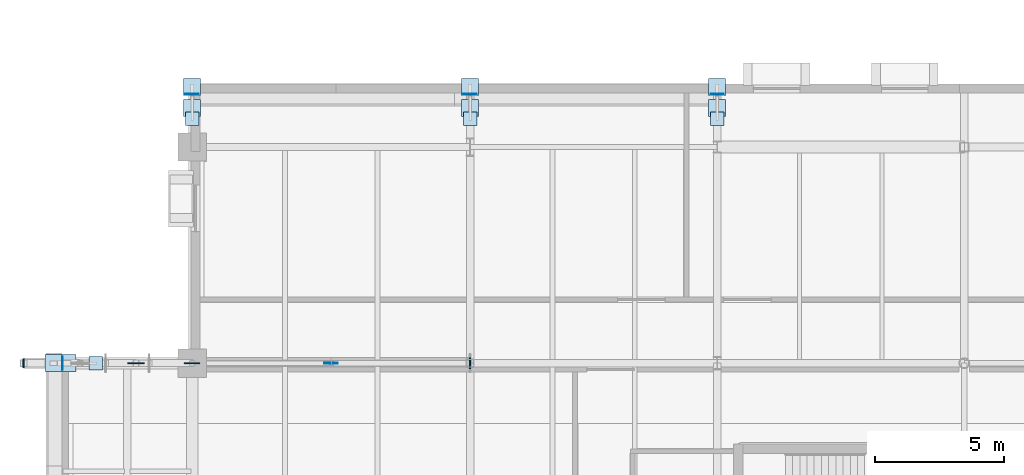
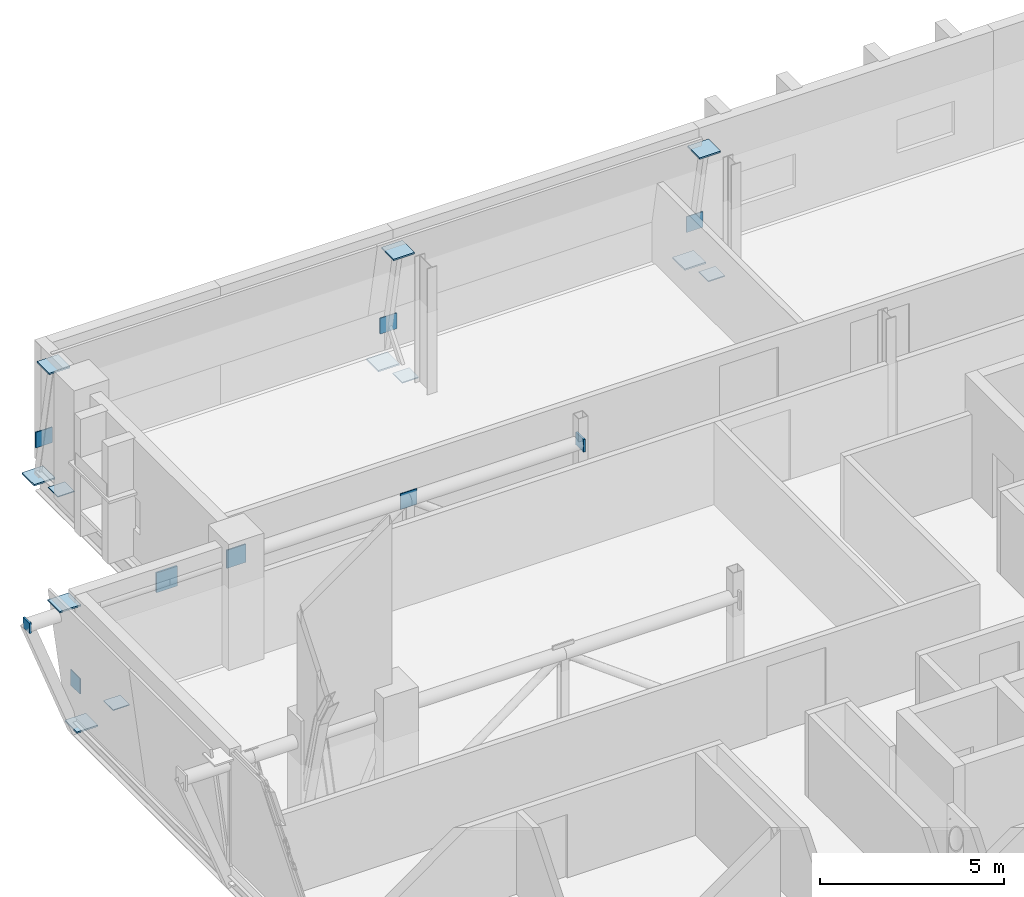
# One storey, part 47 of 90: 21 plates.
"""IFC4 building model written with IfcOpenShell, lengths in metres."""

import ifcopenshell
import ifcopenshell.guid

model = None  # the IFC model being written
_history = None  # IfcOwnerHistory: only IFC2X3 demands one
_inside = {}  # id of a spatial element -> (the spatial element, [elements in it])
_under = {}  # id of a project, library or spatial element -> (it, [spatial elements below it])
_declared = {}  # id of a project -> (the project, [libraries it declares])
_typed = {}  # id of a type object -> (the type object, [elements of that type])
_made_of = {}  # id of a material, layer set ... -> (it, [elements and type objects made of it])


def new_model(schema):
    """Start an empty IFC model of exactly this schema.

    Asked for "IFC4X3", IfcOpenShell would pick the latest addendum, in which some entities
    have other attributes; the version numbers below select the first issue.
    IFC2X3 requires an IfcOwnerHistory on every rooted entity: one is made here for all.
    """
    global model, _history
    if schema == "IFC4X3":
        model = ifcopenshell.file(schema_version=(4, 3, 0, 0))
    else:
        model = ifcopenshell.file(schema=schema)
    _inside.clear()
    _under.clear()
    _declared.clear()
    _typed.clear()
    _made_of.clear()
    _history = None
    if model.schema == "IFC2X3":
        org = make("IfcOrganization", Name="unknown")
        user = make(
            "IfcPersonAndOrganization",
            ThePerson=make("IfcPerson", FamilyName="unknown"),
            TheOrganization=org,
        )
        app = make(
            "IfcApplication",
            ApplicationDeveloper=org,
            Version="unknown",
            ApplicationFullName="unknown",
            ApplicationIdentifier="unknown",
        )
        _history = make(
            "IfcOwnerHistory",
            OwningUser=user,
            OwningApplication=app,
            ChangeAction="ADDED",
            CreationDate=0,
        )
    return model


def make(cls, **values):
    """One entity of the class cls with the attributes given. An attribute that is None is left unset."""
    return model.create_entity(
        cls, **{name: value for name, value in values.items() if value is not None}
    )


def rooted(cls, **values):
    """An entity with a GlobalId (a new one), such as an element, a storey or a relation."""
    return make(cls, GlobalId=ifcopenshell.guid.new(), OwnerHistory=_history, **values)


def si_unit(unit_type, name, prefix=None):
    """IfcSIUnit, for example si_unit("LENGTHUNIT", "METRE", prefix="MILLI")."""
    return make("IfcSIUnit", UnitType=unit_type, Prefix=prefix, Name=name)


def assignment(units):
    """IfcUnitAssignment: the units of a project."""
    return None if units is None else make("IfcUnitAssignment", Units=units)


def point(xyz):
    """IfcCartesianPoint."""
    return None if xyz is None else make("IfcCartesianPoint", Coordinates=xyz)


def direction(xyz):
    """IfcDirection."""
    return None if xyz is None else make("IfcDirection", DirectionRatios=xyz)


def frame(location, z_axis=None, x_axis=None):
    """IfcAxis2Placement3D, a coordinate frame: its origin and axes. An axis left out is left unset."""
    return make(
        "IfcAxis2Placement3D",
        Location=point(location),
        Axis=direction(z_axis),
        RefDirection=direction(x_axis),
    )


def frame_2d(location, x_axis=None):
    """IfcAxis2Placement2D, a coordinate frame in the plane: its origin and x axis."""
    return make(
        "IfcAxis2Placement2D", Location=point(location), RefDirection=direction(x_axis)
    )


def origin():
    """The frame at (0, 0, 0) with its axes left unset."""
    return frame((0.0, 0.0, 0.0))


def origin_2d():
    """The frame at (0, 0) in the plane with its x axis left unset."""
    return frame_2d((0.0, 0.0))


def place(relative_to, where):
    """IfcLocalPlacement: puts the frame where relative to a parent placement (None: the world)."""
    return make(
        "IfcLocalPlacement", PlacementRelTo=relative_to, RelativePlacement=where
    )


def context(
    kind, dimensions, precision=None, world=None, true_north=None, identifier=None
):
    """IfcGeometricRepresentationContext, for example the 3D "Model" context."""
    return make(
        "IfcGeometricRepresentationContext",
        ContextIdentifier=identifier,
        ContextType=kind,
        CoordinateSpaceDimension=dimensions,
        Precision=precision,
        WorldCoordinateSystem=world,
        TrueNorth=true_north,
    )


def subcontext(parent, identifier, kind, view, scale=None):
    """IfcGeometricRepresentationSubContext, for example "Body" below "Model"."""
    return make(
        "IfcGeometricRepresentationSubContext",
        ContextIdentifier=identifier,
        ContextType=kind,
        ParentContext=parent,
        TargetScale=scale,
        TargetView=view,
    )


def project(units=None, contexts=None):
    """IfcProject with its units and contexts."""
    return rooted(
        "IfcProject",
        Name="project",
        RepresentationContexts=contexts,
        UnitsInContext=assignment(units),
    )


def spatial(cls, under=None, at=None, **own):
    """A site, building, storey or space (cls), placed at a placement, below another one or the project."""
    s = rooted(cls, ObjectPlacement=at, **own)
    if under is not None:
        _under.setdefault(under.id(), (under, []))[1].append(s)
    return s


def profile(cls, at=None, kind="AREA", **sizes):
    """A parametric profile (cls). Its sizes go by their IFC names, for example OverallWidth=200.0."""
    return make(cls, ProfileType=kind, Position=at, **sizes)


def rectangle(**sizes):
    """IfcRectangleProfileDef."""
    return profile("IfcRectangleProfileDef", **sizes)


def extrude(swept, where, along, depth):
    """IfcExtrudedAreaSolid: the profile swept, set in the frame where, extruded along a direction by depth."""
    return make(
        "IfcExtrudedAreaSolid",
        SweptArea=swept,
        Position=where,
        ExtrudedDirection=direction(along),
        Depth=depth,
    )


def shape(context_of_items, identifier, shape_type, items):
    """IfcShapeRepresentation: the items that make up one representation, for example the "Body"."""
    return make(
        "IfcShapeRepresentation",
        ContextOfItems=context_of_items,
        RepresentationIdentifier=identifier,
        RepresentationType=shape_type,
        Items=items,
    )


def material(Name=None, Category=None):
    """IfcMaterial."""
    return make("IfcMaterial", Name=Name, Category=Category)


def layer(
    of_material, thickness, ventilated=None, Name=None, Category=None, Priority=None
):
    """IfcMaterialLayer: one layer of a wall or slab, of a material (None: an air gap)."""
    return make(
        "IfcMaterialLayer",
        Material=of_material,
        LayerThickness=thickness,
        IsVentilated=ventilated,
        Name=Name,
        Category=Category,
        Priority=Priority,
    )


def layer_set(layers, Name=None):
    """IfcMaterialLayerSet."""
    return make("IfcMaterialLayerSet", MaterialLayers=layers, LayerSetName=Name)


def made_of(thing, what):
    """Note that an element or type object is made of a material, layer set ...; save() writes the relation."""
    if what is not None:
        _made_of.setdefault(what.id(), (what, []))[1].append(thing)
    return thing


def type_object(cls, material=None, **own):
    """A type object (cls), such as IfcWallType, which elements share."""
    return made_of(rooted(cls, **own), material)


def element(
    cls,
    number,
    at=None,
    inside=None,
    cuts=None,
    type_object=None,
    material=None,
    context=None,
    identifier="Body",
    shape_type=None,
    held_by="IfcProductDefinitionShape",
    body=None,
    shapes=None,
    **own,
):
    """One element of the class cls, such as IfcWall. Its Tag is "e" and its number.

    at: its placement. inside: the storey or other place that contains it. cuts: it is an
    opening in that element (IfcRelVoidsElement). A single representation is given by context,
    identifier, shape_type and body (its items); several are given by shapes. held_by: the class
    of the entity that holds the representations. save() writes the other relations.
    """
    e = rooted(cls, Tag="e%d" % number, ObjectPlacement=at, **own)
    if body is not None:
        shapes = [shape(context, identifier, shape_type, body)]
    if shapes is not None:
        e.Representation = make(held_by, Representations=shapes)
    if inside is not None:
        _inside.setdefault(inside.id(), (inside, []))[1].append(e)
    if cuts is not None:
        rooted(
            "IfcRelVoidsElement", RelatingBuildingElement=cuts, RelatedOpeningElement=e
        )
    if type_object is not None:
        _typed.setdefault(type_object.id(), (type_object, []))[1].append(e)
    return made_of(e, material)


def aggregate(whole, parts):
    """IfcRelAggregates: a whole, such as a stair, and the parts it consists of."""
    return rooted("IfcRelAggregates", RelatingObject=whole, RelatedObjects=parts)


def save(model, path):
    """Write the relations noted so far, then the file.

    IfcRelAggregates (storeys below a building ...), IfcRelContainedInSpatialStructure (elements
    in a storey), IfcRelDefinesByType, IfcRelAssociatesMaterial and IfcRelDeclares: one each for
    every whole, place, type object, material and project.
    """
    for whole, parts in _under.values():
        aggregate(whole, parts)
    for where, things in _inside.values():
        rooted(
            "IfcRelContainedInSpatialStructure",
            RelatedElements=things,
            RelatingStructure=where,
        )
    for kind, things in _typed.values():
        rooted("IfcRelDefinesByType", RelatedObjects=things, RelatingType=kind)
    for what, things in _made_of.values():
        rooted("IfcRelAssociatesMaterial", RelatedObjects=things, RelatingMaterial=what)
    for by, libraries in _declared.values():
        rooted("IfcRelDeclares", RelatingContext=by, RelatedDefinitions=libraries)
    model.write(path)


model = new_model("IFC4")

# Units and contexts
model_context = context("Model", 3, precision=1e-05, world=origin(), true_north=direction((0.0, 1.0)))
body_context = subcontext(model_context, "Body", "Model", "MODEL_VIEW")
ifc_project = project(units=[si_unit("LENGTHUNIT", "METRE"), si_unit("AREAUNIT", "SQUARE_METRE"), si_unit("VOLUMEUNIT", "CUBIC_METRE"), si_unit("PLANEANGLEUNIT", "RADIAN"), si_unit("MASSUNIT", "GRAM", prefix="KILO")], contexts=[model_context])

# Site, building, storey
site_placement = place(None, origin())
site = spatial("IfcSite", under=ifc_project, at=site_placement, CompositionType="ELEMENT")
building_placement = place(site_placement, origin())
building = spatial("IfcBuilding", under=site, at=building_placement, Name="Zereglee Splitstone Museum", CompositionType="ELEMENT")
storey_placement = place(building_placement, frame((0.0, 0.0, 4.800048828125)))
storey = spatial("IfcBuildingStorey", under=building, at=storey_placement, Name="L01", CompositionType="ELEMENT", Elevation=4.800048828125)

# Plates
ifc_material = material(Name="Steel S355J2", Category="steel")
ifc_layer_1 = layer(ifc_material, 0.011962890625)
ifc_layer_set_1 = layer_set([ifc_layer_1], Name="Steel S355J2")
plate_type_1 = type_object("IfcPlateType", Name="NP-06", PredefinedType="SHEET", material=ifc_layer_set_1)
plate_1_placement = place(storey_placement, frame((3.050048828125, 30.0, 3.1298828125), z_axis=(0.0, 0.0, 1.0), x_axis=(1.0, 0.0, 0.0)))
element("IfcPlate", 1, at=plate_1_placement, inside=storey, type_object=plate_type_1, Name="Cantilever Truss Node Plate CN-04", PredefinedType="SHEET", context=body_context, shape_type="SweptSolid", body=[
    extrude(rectangle(XDim=0.06005859375, YDim=0.340087890625, at=origin_2d()), origin(), (0.0, 0.0, 1.0), 0.340087890625),
])
ifc_layer_2 = layer(ifc_material, 0.02001953125)
ifc_layer_set_2 = layer_set([ifc_layer_2], Name="Steel S355J2")
plate_type_2 = type_object("IfcPlateType", Name="NP-05", PredefinedType="SHEET", material=ifc_layer_set_2)
plate_2_placement = place(storey_placement, frame((20.39990234375, 30.0, 3.090087890625), z_axis=(0.0, 0.0, 1.0), x_axis=(1.0, 0.0, 0.0)))
element("IfcPlate", 2, at=plate_2_placement, inside=storey, type_object=plate_type_2, Name="Cantilever Truss Node Plate CN-04", PredefinedType="SHEET", context=body_context, shape_type="SweptSolid", body=[
    extrude(rectangle(XDim=0.06005859375, YDim=0.419921875, at=origin_2d()), origin(), (0.0, 0.0, 1.0), 0.419921875),
])
ifc_layer_3 = layer(ifc_material, 0.030029296875)
ifc_layer_set_3 = layer_set([ifc_layer_3], Name="Steel S355J2")
plate_type_3 = type_object("IfcPlateType", Name="NP-04", PredefinedType="SHEET", material=ifc_layer_set_3)
plate_3_placement = place(storey_placement, frame((15.0, 30.0, 3.0400390625), z_axis=(0.0, 0.0, 1.0), x_axis=(1.0, 0.0, 0.0)))
element("IfcPlate", 3, at=plate_3_placement, inside=storey, type_object=plate_type_3, Name="Cantilever Truss Node Plate CN-04", PredefinedType="SHEET", context=body_context, shape_type="SweptSolid", body=[
    extrude(rectangle(XDim=0.52001953125, YDim=0.030029296875, at=origin_2d()), origin(), (0.0, 0.0, 1.0), 0.52001953125),
])
plate_4_placement = place(storey_placement, frame((5.85009765625, 30.0, -0.27490234375), z_axis=(0.0, 0.0, 1.0), x_axis=(1.0, 0.0, 0.0)))
element("IfcPlate", 4, at=plate_4_placement, inside=storey, type_object=plate_type_3, Name="Facet Tie Seal Plate FH-V1W-N", PredefinedType="SHEET", context=body_context, shape_type="SweptSolid", body=[
    extrude(rectangle(XDim=0.52001953125, YDim=0.52001953125, at=origin_2d()), origin(), (0.0, 0.0, 1.0), 0.030029296875),
])
plate_5_placement = place(storey_placement, frame((4.564208984375, 30.0, 0.639892578125), z_axis=(0.0, 0.0, 1.0), x_axis=(1.0, 0.0, 0.0)))
element("IfcPlate", 5, at=plate_5_placement, inside=storey, type_object=plate_type_3, Name="Facet Tie Seal Plate FH-V1W-N", PredefinedType="SHEET", context=body_context, shape_type="SweptSolid", body=[
    extrude(rectangle(XDim=0.030029296875, YDim=0.52001953125, at=origin_2d()), origin(), (0.0, 0.0, 1.0), 0.52001953125),
])
plate_6_placement = place(storey_placement, frame((9.60009765625, 39.5, -0.27490234375), z_axis=(0.0, 0.0, 1.0), x_axis=(1.0, 0.0, 0.0)))
element("IfcPlate", 6, at=plate_6_placement, inside=storey, type_object=plate_type_3, Name="Facet Tie Seal Plate FH-V1NL-N", PredefinedType="SHEET", context=body_context, shape_type="SweptSolid", body=[
    extrude(rectangle(XDim=0.52001953125, YDim=0.52001953125, at=origin_2d()), origin(), (0.0, 0.0, 1.0), 0.030029296875),
])
plate_7_placement = place(storey_placement, frame((9.60009765625, 40.446044921875, 0.639892578125), z_axis=(0.0, 0.0, 1.0), x_axis=(1.0, 0.0, 0.0)))
element("IfcPlate", 7, at=plate_7_placement, inside=storey, type_object=plate_type_3, Name="Facet Tie Seal Plate FH-V1NL-N", PredefinedType="SHEET", context=body_context, shape_type="SweptSolid", body=[
    extrude(rectangle(XDim=0.52001953125, YDim=0.030029296875, at=origin_2d()), origin(), (0.0, 0.0, 1.0), 0.52001953125),
])
plate_8_placement = place(storey_placement, frame((20.39990234375, 39.5, -0.27490234375), z_axis=(0.0, 0.0, 1.0), x_axis=(1.0, 0.0, 0.0)))
element("IfcPlate", 8, at=plate_8_placement, inside=storey, type_object=plate_type_3, Name="Facet Tie Seal Plate FH-V1NL-N", PredefinedType="SHEET", context=body_context, shape_type="SweptSolid", body=[
    extrude(rectangle(XDim=0.52001953125, YDim=0.52001953125, at=origin_2d()), origin(), (0.0, 0.0, 1.0), 0.030029296875),
])
plate_9_placement = place(storey_placement, frame((20.39990234375, 40.446044921875, 0.639892578125), z_axis=(0.0, 0.0, 1.0), x_axis=(1.0, 0.0, 0.0)))
element("IfcPlate", 9, at=plate_9_placement, inside=storey, type_object=plate_type_3, Name="Facet Tie Seal Plate FH-V1NL-N", PredefinedType="SHEET", context=body_context, shape_type="SweptSolid", body=[
    extrude(rectangle(XDim=0.52001953125, YDim=0.030029296875, at=origin_2d()), origin(), (0.0, 0.0, 1.0), 0.52001953125),
])
plate_10_placement = place(storey_placement, frame((30.0, 39.5, -0.27490234375), z_axis=(0.0, 0.0, 1.0), x_axis=(1.0, 0.0, 0.0)))
element("IfcPlate", 10, at=plate_10_placement, inside=storey, type_object=plate_type_3, Name="Facet Tie Seal Plate FH-V1NL-N", PredefinedType="SHEET", context=body_context, shape_type="SweptSolid", body=[
    extrude(rectangle(XDim=0.52001953125, YDim=0.52001953125, at=origin_2d()), origin(), (0.0, 0.0, 1.0), 0.030029296875),
])
plate_11_placement = place(storey_placement, frame((30.0, 40.446044921875, 0.639892578125), z_axis=(0.0, 0.0, 1.0), x_axis=(1.0, 0.0, 0.0)))
element("IfcPlate", 11, at=plate_11_placement, inside=storey, type_object=plate_type_3, Name="Facet Tie Seal Plate FH-V1NL-N", PredefinedType="SHEET", context=body_context, shape_type="SweptSolid", body=[
    extrude(rectangle(XDim=0.52001953125, YDim=0.030029296875, at=origin_2d()), origin(), (0.0, 0.0, 1.0), 0.52001953125),
])
ifc_layer_4 = layer(ifc_material, 0.0400390625)
ifc_layer_set_4 = layer_set([ifc_layer_4], Name="Steel S355J2")
plate_type_4 = type_object("IfcPlateType", Name="NP-03", PredefinedType="SHEET", material=ifc_layer_set_4)
plate_12_placement = place(storey_placement, frame((9.60009765625, 30.0, 3.0), z_axis=(0.0, 0.0, 1.0), x_axis=(1.0, 0.0, 0.0)))
element("IfcPlate", 12, at=plate_12_placement, inside=storey, type_object=plate_type_4, Name="Cantilever Truss Node Plate CN-04", PredefinedType="SHEET", context=body_context, shape_type="SweptSolid", body=[
    extrude(rectangle(XDim=0.60009765625, YDim=0.0400390625, at=origin_2d()), origin(), (0.0, 0.0, 1.0), 0.60009765625),
])
ifc_layer_5 = layer(ifc_material, 0.050048828125)
ifc_layer_set_5 = layer_set([ifc_layer_5], Name="Steel S355J2")
plate_type_5 = type_object("IfcPlateType", Name="NP-02", PredefinedType="SHEET", material=ifc_layer_set_5)
plate_13_placement = place(storey_placement, frame((7.416748046875, 30.0, 2.97021484375), z_axis=(0.0, 0.0, 1.0), x_axis=(1.0, 0.0, 0.0)))
element("IfcPlate", 13, at=plate_13_placement, inside=storey, type_object=plate_type_5, Name="Cantilever Truss Node Plate CN-04", PredefinedType="SHEET", context=body_context, shape_type="SweptSolid", body=[
    extrude(rectangle(XDim=0.659912109375, YDim=0.050048828125, at=origin_2d()), origin(), (0.0, 0.0, 1.0), 0.659912109375),
])
for number, where, z_axis, x_axis, name in (
    (14, (4.751708984375, 30.0, -0.5751953125), (0.0, 0.0, 1.0), (1.0, 0.0, 0.0), "Facet Strut Seal Plate FH-V1W-N"),
    (15, (4.210693359375, 30.0, 3.60498046875), (0.0, 0.0, 1.0), (1.0, 0.0, 0.0), "Facet Strut Seal Plate FH-V1W-N"),
    (16, (9.60009765625, 40.727783203125, -0.5751953125), (0.0, 0.0, 1.0), (1.0, 0.0, 0.0), "Facet Strut Seal Plate FH-V1NL-N"),
    (17, (9.60009765625, 39.915283203125, 3.60498046875), (0.0, 0.0, 1.0), (1.0, 0.0, 0.0), "Facet Strut Seal Plate FH-V1NL-N"),
    (18, (20.39990234375, 40.727783203125, -0.5751953125), (0.0, 0.0, 1.0), (1.0, 0.0, 0.0), "Facet Strut Seal Plate FH-V1NL-N"),
    (19, (20.39990234375, 39.915283203125, 3.60498046875), (0.0, 0.0, 1.0), (1.0, 0.0, 0.0), "Facet Strut Seal Plate FH-V1NL-N"),
    (20, (30.0, 40.727783203125, -0.5751953125), (0.0, 0.0, 1.0), (1.0, 0.0, 0.0), "Facet Strut Seal Plate FH-V1NL-N"),
    (21, (30.0, 39.915283203125, 3.60498046875), (0.0, 0.0, 1.0), (1.0, 0.0, 0.0), "Facet Strut Seal Plate FH-V1NL-N"),
):
    element("IfcPlate", number, at=place(storey_placement, frame(where, z_axis=z_axis, x_axis=x_axis)), inside=storey, type_object=plate_type_5, Name=name, PredefinedType="SHEET", context=body_context, shape_type="SweptSolid", body=[
        extrude(rectangle(XDim=0.659912109375, YDim=0.659912109375, at=origin_2d()), origin(), (0.0, 0.0, 1.0), 0.050048828125),
    ])

save(model, "model.ifc")
